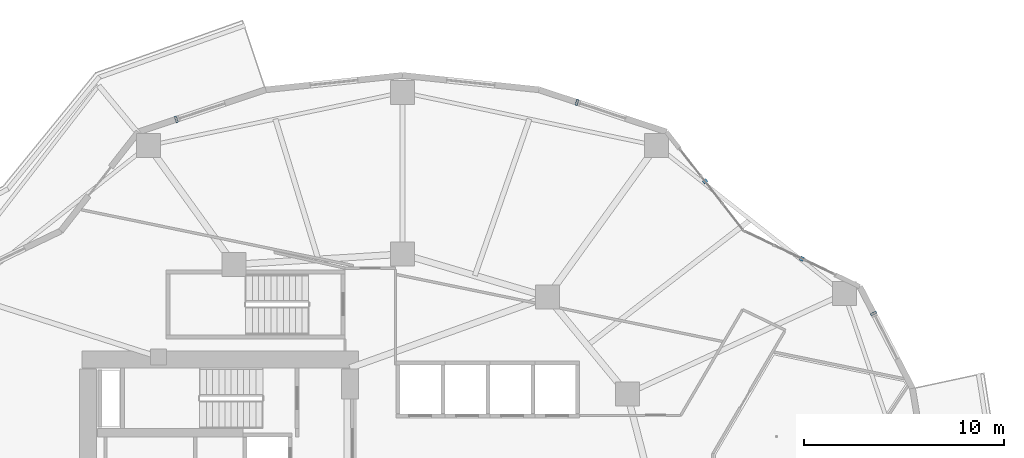
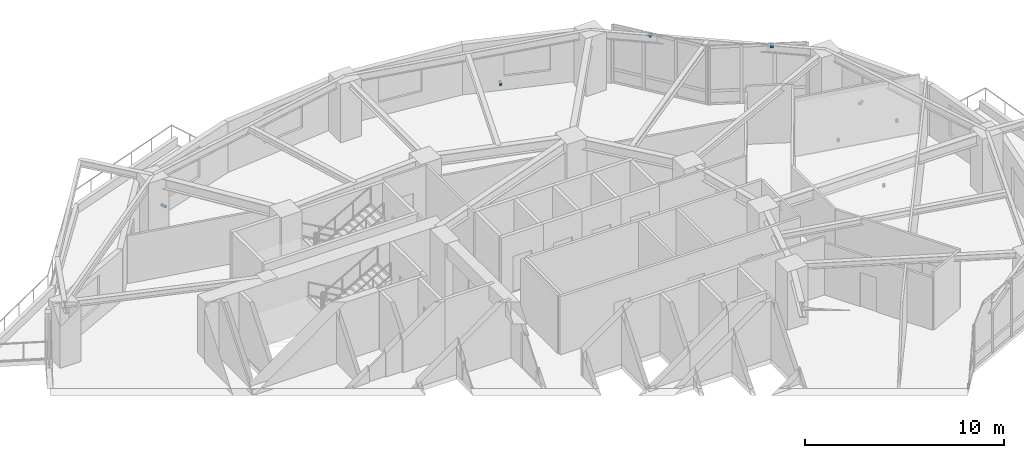
# One storey, part 14 of 18: 5 discrete accessories.
"""IFC4 building model written with IfcOpenShell, lengths in metres."""

from ifc_helpers import new_model, si_unit, direction, frame, origin, origin_2d, place, context, subcontext, project, spatial, rectangle, extrude, material, type_object, element, save


model = new_model("IFC4")

# Units and contexts
model_context = context("Model", 3, precision=1e-05, world=origin(), true_north=direction((0.0, 1.0)))
body_context = subcontext(model_context, "Body", "Model", "MODEL_VIEW")
ifc_project = project(units=[si_unit("LENGTHUNIT", "METRE"), si_unit("AREAUNIT", "SQUARE_METRE"), si_unit("VOLUMEUNIT", "CUBIC_METRE"), si_unit("PLANEANGLEUNIT", "RADIAN"), si_unit("MASSUNIT", "GRAM", prefix="KILO")], contexts=[model_context])

# Site, building, storey
site_placement = place(None, origin())
site = spatial("IfcSite", under=ifc_project, at=site_placement, CompositionType="ELEMENT")
building_placement = place(site_placement, origin())
building = spatial("IfcBuilding", under=site, at=building_placement, Name="Kolvaren Gate Tower and Convention Centre", CompositionType="ELEMENT")
storey_placement = place(building_placement, frame((0.0, 0.0, 61.14990234375)))
storey = spatial("IfcBuildingStorey", under=building, at=storey_placement, Name="L14", CompositionType="ELEMENT", Elevation=61.14990234375)

# Discrete accessories
ifc_material = material(Name="Anodized Architectural Aluminium Alloy 6063-T6", Category="aluminium")
discrete_accessory_type = type_object("IfcDiscreteAccessoryType", Name="ARCH-ACC-BRACKET-120", PredefinedType="BRACKET", material=ifc_material)
discrete_accessory_placement = place(storey_placement, frame((53.7158203125, 36.232421875, 0.2900390625), z_axis=(0.0, 0.0, 1.0), x_axis=(0.45980150925, -0.888021718254, 0.0)))
element("IfcDiscreteAccessory", 1, at=discrete_accessory_placement, inside=storey, type_object=discrete_accessory_type, Name="Ceramic Fin Wall Anchor Bracket FBK-L14-01", PredefinedType="BRACKET", context=body_context, shape_type="SweptSolid", body=[
    extrude(rectangle(XDim=0.1201171875, YDim=0.320068359375, at=origin_2d()), origin(), (0.0, 0.0, 1.0), 0.1201171875),
])
for number, where, z_axis, x_axis, name in (
    (2, (50.122314453125, 38.967529296875, 3.39013671875), (0.0, 0.0, 1.0), (0.901357634097, -0.433075530889, 0.0), "Solar Screen Spandrel Anchor Bracket BK-L14-02"),
    (3, (45.283935546875, 42.83837890625, 3.39013671875), (0.0, 0.0, 1.0), (0.616431370541, -0.787408639407, 0.0), "Solar Screen Spandrel Anchor Bracket BK-L14-03"),
):
    element("IfcDiscreteAccessory", number, at=place(storey_placement, frame(where, z_axis=z_axis, x_axis=x_axis)), inside=storey, type_object=discrete_accessory_type, Name=name, PredefinedType="BRACKET", context=body_context, shape_type="SweptSolid", body=[
        extrude(rectangle(XDim=0.179931640625, YDim=0.219970703125, at=origin_2d()), origin(), (0.0, 0.0, 1.0), 0.1201171875),
    ])
for number, where, z_axis, x_axis, name in (
    (4, (38.864990234375, 46.800537109375, 0.2900390625), (0.0, 0.0, 1.0), (0.949241728595, -0.314547517385, 0.0), "Ceramic Fin Wall Anchor Bracket FBK-L14-04"),
    (5, (18.8037109375, 45.9453125, 0.2900390625), (0.0, 0.0, 1.0), (0.949240081615, 0.314552487599, 0.0), "Ceramic Fin Wall Anchor Bracket FBK-L14-07"),
):
    element("IfcDiscreteAccessory", number, at=place(storey_placement, frame(where, z_axis=z_axis, x_axis=x_axis)), inside=storey, type_object=discrete_accessory_type, Name=name, PredefinedType="BRACKET", context=body_context, shape_type="SweptSolid", body=[
        extrude(rectangle(XDim=0.1201171875, YDim=0.320068359375, at=origin_2d()), origin(), (0.0, 0.0, 1.0), 0.1201171875),
    ])

save(model, "model.ifc")
